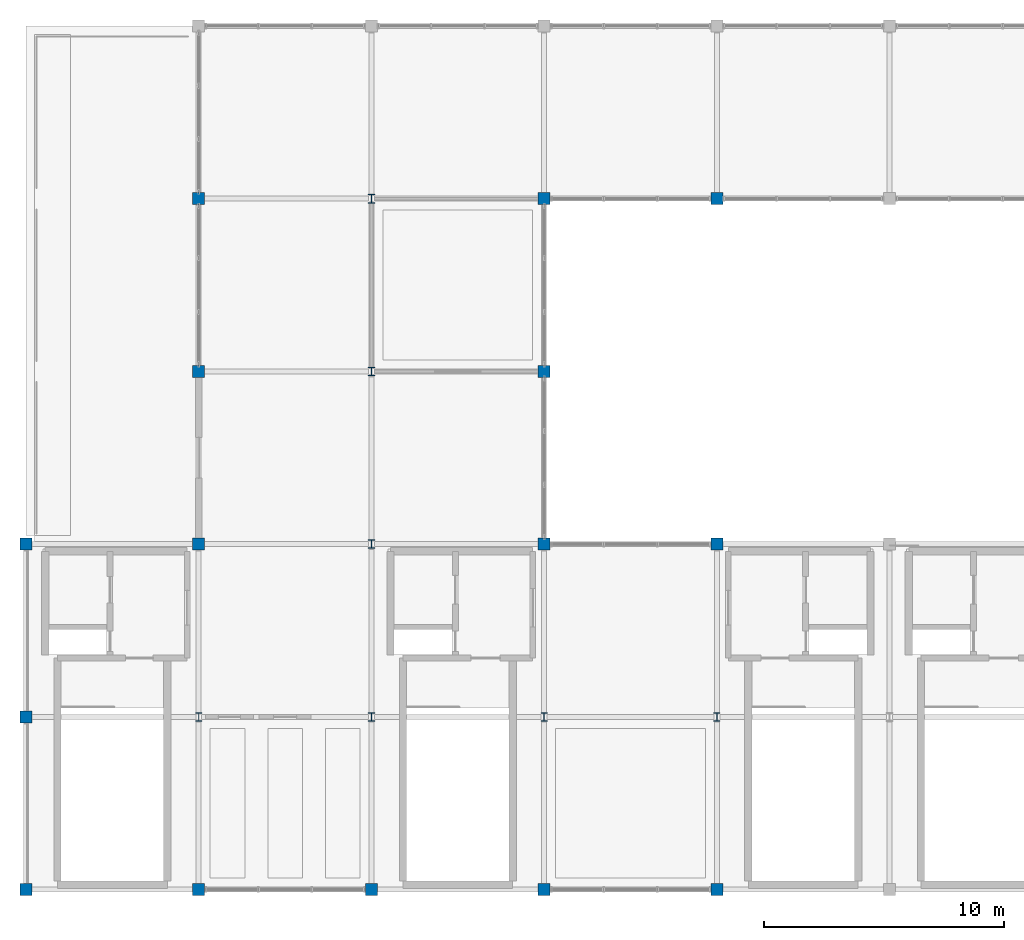
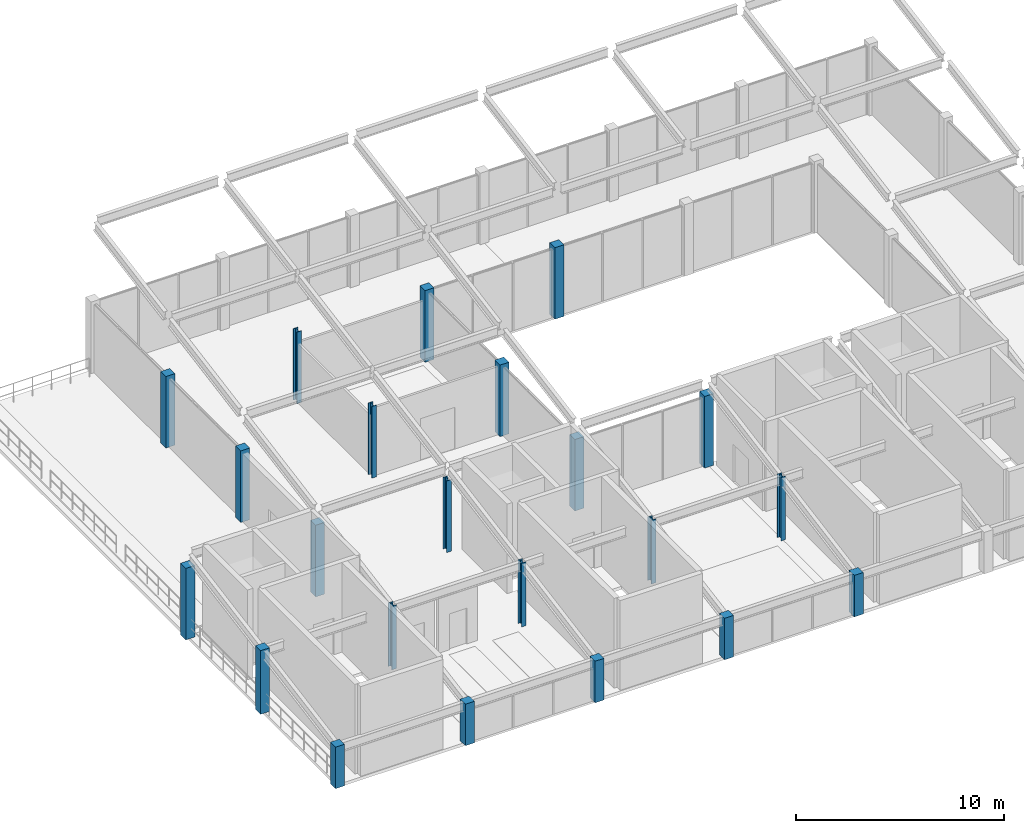
# One storey, part 1 of 16: 22 columns.
"""IFC4 building model written with IfcOpenShell, lengths in metres."""

from ifc_helpers import new_model, si_unit, direction, frame, origin, origin_2d, place, context, subcontext, project, spatial, rectangle, i_section, extrude, material, material_profile, profile_set, type_object, element, save


model = new_model("IFC4")

# Units and contexts
model_context = context("Model", 3, precision=1e-05, world=origin(), true_north=direction((0.0, 1.0)))
body_context = subcontext(model_context, "Body", "Model", "MODEL_VIEW")
ifc_project = project(units=[si_unit("LENGTHUNIT", "METRE"), si_unit("AREAUNIT", "SQUARE_METRE"), si_unit("VOLUMEUNIT", "CUBIC_METRE"), si_unit("PLANEANGLEUNIT", "RADIAN"), si_unit("MASSUNIT", "GRAM", prefix="KILO")], contexts=[model_context])

# Site, building, storey
site_placement = place(None, origin())
site = spatial("IfcSite", under=ifc_project, at=site_placement, CompositionType="ELEMENT")
building_placement = place(site_placement, origin())
building = spatial("IfcBuilding", under=site, at=building_placement, Name="Sillqori Civic Hall", CompositionType="ELEMENT")
storey_placement = place(building_placement, frame((0.0, 0.0, 25.800048828125)))
storey = spatial("IfcBuildingStorey", under=building, at=storey_placement, Name="L07", CompositionType="ELEMENT", Elevation=25.800048828125)

# Columns
ifc_material_1 = material(Name="Concrete C35/45 (H35)", Category="concrete")
ifc_material_profile_1 = material_profile(ifc_material_1, rectangle(XDim=0.5, YDim=0.5, at=origin_2d()), Name="RC 500x500")
ifc_profile_set_1 = profile_set([ifc_material_profile_1], Name="Concrete C35/45 (H35)")
column_type_1 = type_object("IfcColumnType", Name="COL-RC500", PredefinedType="COLUMN", material=ifc_profile_set_1)
column_1_placement = place(storey_placement, frame((50.39990234375, 79.199951171875, 0.0), z_axis=(0.0, 0.0, 1.0), x_axis=(1.0, 0.0, 0.0)))
element("IfcColumn", 1, at=column_1_placement, inside=storey, type_object=column_type_1, Name="L07 column 7-11", PredefinedType="COLUMN", context=body_context, shape_type="SweptSolid", body=[
    extrude(rectangle(XDim=0.5, YDim=0.5, at=origin_2d()), origin(), (0.0, 0.0, 1.0), 2.436767578125),
])
column_2_placement = place(storey_placement, frame((50.39990234375, 86.39990234375, 0.0), z_axis=(0.0, 0.0, 1.0), x_axis=(1.0, 0.0, 0.0)))
element("IfcColumn", 2, at=column_2_placement, inside=storey, type_object=column_type_1, Name="L07 column 7-12", PredefinedType="COLUMN", context=body_context, shape_type="SweptSolid", body=[
    extrude(rectangle(XDim=0.5, YDim=0.5, at=origin_2d()), origin(), (0.0, 0.0, 1.0), 3.732666015625),
])
column_3_placement = place(storey_placement, frame((50.39990234375, 93.60009765625, 0.0), z_axis=(0.0, 0.0, 1.0), x_axis=(1.0, 0.0, 0.0)))
element("IfcColumn", 3, at=column_3_placement, inside=storey, type_object=column_type_1, Name="L07 column 7-13", PredefinedType="COLUMN", context=body_context, shape_type="SweptSolid", body=[
    extrude(rectangle(XDim=0.5, YDim=0.5, at=origin_2d()), origin(), (0.0, 0.0, 1.0), 4.199951171875),
])
column_4_placement = place(storey_placement, frame((57.60009765625, 79.199951171875, 0.0), z_axis=(0.0, 0.0, 1.0), x_axis=(1.0, 0.0, 0.0)))
element("IfcColumn", 4, at=column_4_placement, inside=storey, type_object=column_type_1, Name="L07 column 8-11", PredefinedType="COLUMN", context=body_context, shape_type="SweptSolid", body=[
    extrude(rectangle(XDim=0.5, YDim=0.5, at=origin_2d()), origin(), (0.0, 0.0, 1.0), 2.436767578125),
])
for number, where, z_axis, x_axis, name in (
    (5, (57.60009765625, 93.60009765625, 0.0), (0.0, 0.0, 1.0), (1.0, 0.0, 0.0), "L07 column 8-13"),
    (6, (57.60009765625, 100.800048828125, 0.0), (0.0, 0.0, 1.0), (1.0, 0.0, 0.0), "L07 column 8-14"),
    (7, (57.60009765625, 108.0, 0.0), (0.0, 0.0, 1.0), (1.0, 0.0, 0.0), "L07 column 8-15"),
):
    element("IfcColumn", number, at=place(storey_placement, frame(where, z_axis=z_axis, x_axis=x_axis)), inside=storey, type_object=column_type_1, Name=name, PredefinedType="COLUMN", context=body_context, shape_type="SweptSolid", body=[
        extrude(rectangle(XDim=0.5, YDim=0.5, at=origin_2d()), origin(), (0.0, 0.0, 1.0), 4.199951171875),
    ])
for number, where, z_axis, x_axis, name in (
    (8, (64.800048828125, 79.199951171875, 0.0), (0.0, 0.0, 1.0), (1.0, 0.0, 0.0), "L07 column 9-11"),
    (9, (72.0, 79.199951171875, 0.0), (0.0, 0.0, 1.0), (1.0, 0.0, 0.0), "L07 column 10-11"),
):
    element("IfcColumn", number, at=place(storey_placement, frame(where, z_axis=z_axis, x_axis=x_axis)), inside=storey, type_object=column_type_1, Name=name, PredefinedType="COLUMN", context=body_context, shape_type="SweptSolid", body=[
        extrude(rectangle(XDim=0.5, YDim=0.5, at=origin_2d()), origin(), (0.0, 0.0, 1.0), 2.436767578125),
    ])
for number, where, z_axis, x_axis, name in (
    (10, (72.0, 93.60009765625, 0.0), (0.0, 0.0, 1.0), (1.0, 0.0, 0.0), "L07 column 10-13"),
    (11, (72.0, 100.800048828125, 0.0), (0.0, 0.0, 1.0), (1.0, 0.0, 0.0), "L07 column 10-14"),
    (12, (72.0, 108.0, 0.0), (0.0, 0.0, 1.0), (1.0, 0.0, 0.0), "L07 column 10-15"),
):
    element("IfcColumn", number, at=place(storey_placement, frame(where, z_axis=z_axis, x_axis=x_axis)), inside=storey, type_object=column_type_1, Name=name, PredefinedType="COLUMN", context=body_context, shape_type="SweptSolid", body=[
        extrude(rectangle(XDim=0.5, YDim=0.5, at=origin_2d()), origin(), (0.0, 0.0, 1.0), 4.199951171875),
    ])
column_5_placement = place(storey_placement, frame((79.199951171875, 79.199951171875, 0.0), z_axis=(0.0, 0.0, 1.0), x_axis=(1.0, 0.0, 0.0)))
element("IfcColumn", 13, at=column_5_placement, inside=storey, type_object=column_type_1, Name="L07 column 11-11", PredefinedType="COLUMN", context=body_context, shape_type="SweptSolid", body=[
    extrude(rectangle(XDim=0.5, YDim=0.5, at=origin_2d()), origin(), (0.0, 0.0, 1.0), 2.436767578125),
])
for number, where, z_axis, x_axis, name in (
    (14, (79.199951171875, 93.60009765625, 0.0), (0.0, 0.0, 1.0), (1.0, 0.0, 0.0), "L07 column 11-13"),
    (15, (79.199951171875, 108.0, 0.0), (0.0, 0.0, 1.0), (1.0, 0.0, 0.0), "L07 column 11-15"),
):
    element("IfcColumn", number, at=place(storey_placement, frame(where, z_axis=z_axis, x_axis=x_axis)), inside=storey, type_object=column_type_1, Name=name, PredefinedType="COLUMN", context=body_context, shape_type="SweptSolid", body=[
        extrude(rectangle(XDim=0.5, YDim=0.5, at=origin_2d()), origin(), (0.0, 0.0, 1.0), 4.199951171875),
    ])
ifc_material_2 = material(Name="Steel ASTM A992", Category="steel")
ifc_material_profile_2 = material_profile(ifc_material_2, i_section(OverallWidth=0.257080078125, OverallDepth=0.363037109375, WebThickness=0.012939453125, FlangeThickness=0.021728515625, FilletRadius=0.014892578125, at=origin_2d()), Name="W14X82")
ifc_profile_set_2 = profile_set([ifc_material_profile_2], Name="Steel ASTM A992")
column_type_2 = type_object("IfcColumnType", Name="COL-W14X82", PredefinedType="COLUMN", material=ifc_profile_set_2)
for number, where, z_axis, x_axis, name in (
    (16, (57.60009765625, 86.39990234375, 0.0), (0.0, 0.0, 1.0), (1.0, 0.0, 0.0), "L07 column 8-12"),
    (17, (64.800048828125, 86.39990234375, 0.0), (0.0, 0.0, 1.0), (1.0, 0.0, 0.0), "L07 column 9-12"),
):
    element("IfcColumn", number, at=place(storey_placement, frame(where, z_axis=z_axis, x_axis=x_axis)), inside=storey, type_object=column_type_2, Name=name, PredefinedType="COLUMN", context=body_context, shape_type="SweptSolid", body=[
        extrude(i_section(OverallWidth=0.257080078125, OverallDepth=0.363037109375, WebThickness=0.012939453125, FlangeThickness=0.021728515625, FilletRadius=0.014892578125, at=origin_2d()), origin(), (0.0, 0.0, 1.0), 3.732666015625),
    ])
for number, where, z_axis, x_axis, name in (
    (18, (64.800048828125, 93.60009765625, 0.0), (0.0, 0.0, 1.0), (1.0, 0.0, 0.0), "L07 column 9-13"),
    (19, (64.800048828125, 100.800048828125, 0.0), (0.0, 0.0, 1.0), (1.0, 0.0, 0.0), "L07 column 9-14"),
    (20, (64.800048828125, 108.0, 0.0), (0.0, 0.0, 1.0), (1.0, 0.0, 0.0), "L07 column 9-15"),
):
    element("IfcColumn", number, at=place(storey_placement, frame(where, z_axis=z_axis, x_axis=x_axis)), inside=storey, type_object=column_type_2, Name=name, PredefinedType="COLUMN", context=body_context, shape_type="SweptSolid", body=[
        extrude(i_section(OverallWidth=0.257080078125, OverallDepth=0.363037109375, WebThickness=0.012939453125, FlangeThickness=0.021728515625, FilletRadius=0.014892578125, at=origin_2d()), origin(), (0.0, 0.0, 1.0), 4.199951171875),
    ])
for number, where, z_axis, x_axis, name in (
    (21, (72.0, 86.39990234375, 0.0), (0.0, 0.0, 1.0), (1.0, 0.0, 0.0), "L07 column 10-12"),
    (22, (79.199951171875, 86.39990234375, 0.0), (0.0, 0.0, 1.0), (1.0, 0.0, 0.0), "L07 column 11-12"),
):
    element("IfcColumn", number, at=place(storey_placement, frame(where, z_axis=z_axis, x_axis=x_axis)), inside=storey, type_object=column_type_2, Name=name, PredefinedType="COLUMN", context=body_context, shape_type="SweptSolid", body=[
        extrude(i_section(OverallWidth=0.257080078125, OverallDepth=0.363037109375, WebThickness=0.012939453125, FlangeThickness=0.021728515625, FilletRadius=0.014892578125, at=origin_2d()), origin(), (0.0, 0.0, 1.0), 3.732666015625),
    ])

save(model, "model.ifc")
